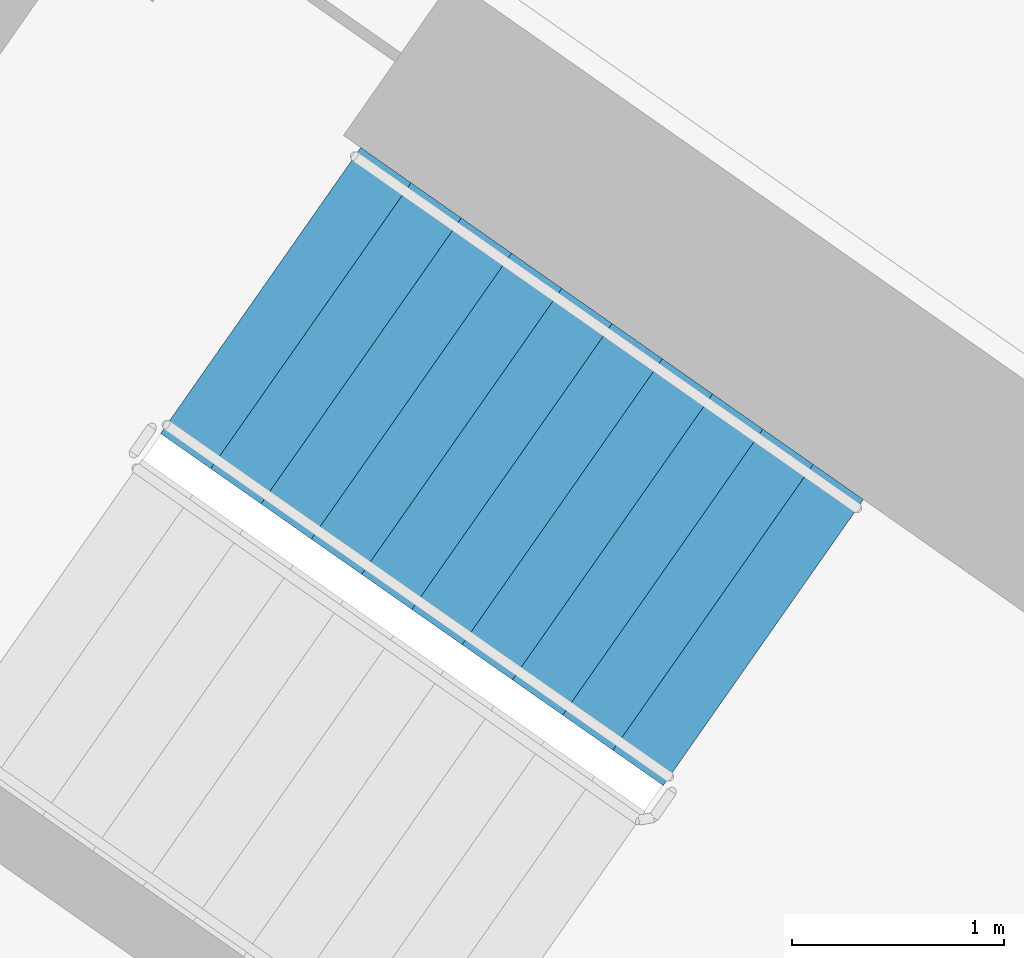
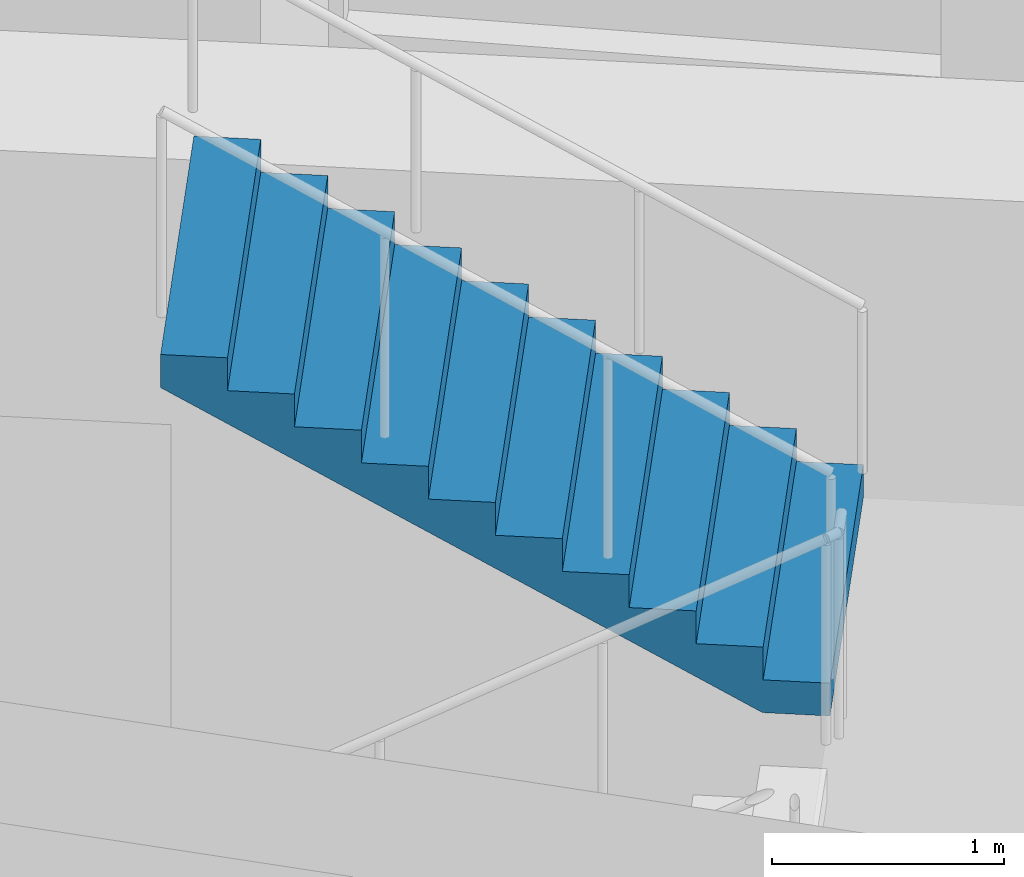
# One storey, part 13 of 30: 1 stair flight, 1 element without a shape of its own.
"""IFC4 building model written with IfcOpenShell, lengths in metres."""

import ifcopenshell
import ifcopenshell.guid

model = None  # the IFC model being written
_history = None  # IfcOwnerHistory: only IFC2X3 demands one
_inside = {}  # id of a spatial element -> (the spatial element, [elements in it])
_under = {}  # id of a project, library or spatial element -> (it, [spatial elements below it])
_declared = {}  # id of a project -> (the project, [libraries it declares])
_typed = {}  # id of a type object -> (the type object, [elements of that type])
_made_of = {}  # id of a material, layer set ... -> (it, [elements and type objects made of it])


def new_model(schema):
    """Start an empty IFC model of exactly this schema.

    Asked for "IFC4X3", IfcOpenShell would pick the latest addendum, in which some entities
    have other attributes; the version numbers below select the first issue.
    IFC2X3 requires an IfcOwnerHistory on every rooted entity: one is made here for all.
    """
    global model, _history
    if schema == "IFC4X3":
        model = ifcopenshell.file(schema_version=(4, 3, 0, 0))
    else:
        model = ifcopenshell.file(schema=schema)
    _inside.clear()
    _under.clear()
    _declared.clear()
    _typed.clear()
    _made_of.clear()
    _history = None
    if model.schema == "IFC2X3":
        org = make("IfcOrganization", Name="unknown")
        user = make(
            "IfcPersonAndOrganization",
            ThePerson=make("IfcPerson", FamilyName="unknown"),
            TheOrganization=org,
        )
        app = make(
            "IfcApplication",
            ApplicationDeveloper=org,
            Version="unknown",
            ApplicationFullName="unknown",
            ApplicationIdentifier="unknown",
        )
        _history = make(
            "IfcOwnerHistory",
            OwningUser=user,
            OwningApplication=app,
            ChangeAction="ADDED",
            CreationDate=0,
        )
    return model


def make(cls, **values):
    """One entity of the class cls with the attributes given. An attribute that is None is left unset."""
    return model.create_entity(
        cls, **{name: value for name, value in values.items() if value is not None}
    )


def rooted(cls, **values):
    """An entity with a GlobalId (a new one), such as an element, a storey or a relation."""
    return make(cls, GlobalId=ifcopenshell.guid.new(), OwnerHistory=_history, **values)


def si_unit(unit_type, name, prefix=None):
    """IfcSIUnit, for example si_unit("LENGTHUNIT", "METRE", prefix="MILLI")."""
    return make("IfcSIUnit", UnitType=unit_type, Prefix=prefix, Name=name)


def assignment(units):
    """IfcUnitAssignment: the units of a project."""
    return None if units is None else make("IfcUnitAssignment", Units=units)


def point(xyz):
    """IfcCartesianPoint."""
    return None if xyz is None else make("IfcCartesianPoint", Coordinates=xyz)


def direction(xyz):
    """IfcDirection."""
    return None if xyz is None else make("IfcDirection", DirectionRatios=xyz)


def frame(location, z_axis=None, x_axis=None):
    """IfcAxis2Placement3D, a coordinate frame: its origin and axes. An axis left out is left unset."""
    return make(
        "IfcAxis2Placement3D",
        Location=point(location),
        Axis=direction(z_axis),
        RefDirection=direction(x_axis),
    )


def origin():
    """The frame at (0, 0, 0) with its axes left unset."""
    return frame((0.0, 0.0, 0.0))


def place(relative_to, where):
    """IfcLocalPlacement: puts the frame where relative to a parent placement (None: the world)."""
    return make(
        "IfcLocalPlacement", PlacementRelTo=relative_to, RelativePlacement=where
    )


def context(
    kind, dimensions, precision=None, world=None, true_north=None, identifier=None
):
    """IfcGeometricRepresentationContext, for example the 3D "Model" context."""
    return make(
        "IfcGeometricRepresentationContext",
        ContextIdentifier=identifier,
        ContextType=kind,
        CoordinateSpaceDimension=dimensions,
        Precision=precision,
        WorldCoordinateSystem=world,
        TrueNorth=true_north,
    )


def subcontext(parent, identifier, kind, view, scale=None):
    """IfcGeometricRepresentationSubContext, for example "Body" below "Model"."""
    return make(
        "IfcGeometricRepresentationSubContext",
        ContextIdentifier=identifier,
        ContextType=kind,
        ParentContext=parent,
        TargetScale=scale,
        TargetView=view,
    )


def project(units=None, contexts=None):
    """IfcProject with its units and contexts."""
    return rooted(
        "IfcProject",
        Name="project",
        RepresentationContexts=contexts,
        UnitsInContext=assignment(units),
    )


def spatial(cls, under=None, at=None, **own):
    """A site, building, storey or space (cls), placed at a placement, below another one or the project."""
    s = rooted(cls, ObjectPlacement=at, **own)
    if under is not None:
        _under.setdefault(under.id(), (under, []))[1].append(s)
    return s


def faces_of(points, faces, orient=None, outer=None):
    """IfcFace entities. A face is a list of loops; a loop is a list of indices into points, from 0.

    orient and outer hold one flag for each loop. By default every Orientation is true, the
    first loop of a face is its IfcFaceOuterBound and the others are IfcFaceBound.
    """
    made = []
    for i, loops in enumerate(faces):
        bounds = []
        for j, loop in enumerate(loops):
            is_outer = j == 0 if outer is None else outer[i][j]
            bounds.append(
                make(
                    "IfcFaceOuterBound" if is_outer else "IfcFaceBound",
                    Bound=make("IfcPolyLoop", Polygon=[points[k] for k in loop]),
                    Orientation=True if orient is None else orient[i][j],
                )
            )
        made.append(make("IfcFace", Bounds=bounds))
    return made


def faceted_brep(points, faces, orient=None, outer=None, voids=None):
    """IfcFacetedBrep: a solid bounded by flat faces; with voids (closed shells), ...WithVoids."""
    shared = [point(p) for p in points]
    hull = make("IfcClosedShell", CfsFaces=faces_of(shared, faces, orient, outer))
    if voids is None:
        return make("IfcFacetedBrep", Outer=hull)
    return make(
        "IfcFacetedBrepWithVoids",
        Outer=hull,
        Voids=[
            make(cls, CfsFaces=faces_of(shared, fs, o, b)) for cls, fs, o, b in voids
        ],
    )


def shape(context_of_items, identifier, shape_type, items):
    """IfcShapeRepresentation: the items that make up one representation, for example the "Body"."""
    return make(
        "IfcShapeRepresentation",
        ContextOfItems=context_of_items,
        RepresentationIdentifier=identifier,
        RepresentationType=shape_type,
        Items=items,
    )


def material(Name=None, Category=None):
    """IfcMaterial."""
    return make("IfcMaterial", Name=Name, Category=Category)


def made_of(thing, what):
    """Note that an element or type object is made of a material, layer set ...; save() writes the relation."""
    if what is not None:
        _made_of.setdefault(what.id(), (what, []))[1].append(thing)
    return thing


def type_object(cls, material=None, **own):
    """A type object (cls), such as IfcWallType, which elements share."""
    return made_of(rooted(cls, **own), material)


def element(
    cls,
    number,
    at=None,
    inside=None,
    cuts=None,
    type_object=None,
    material=None,
    context=None,
    identifier="Body",
    shape_type=None,
    held_by="IfcProductDefinitionShape",
    body=None,
    shapes=None,
    **own,
):
    """One element of the class cls, such as IfcWall. Its Tag is "e" and its number.

    at: its placement. inside: the storey or other place that contains it. cuts: it is an
    opening in that element (IfcRelVoidsElement). A single representation is given by context,
    identifier, shape_type and body (its items); several are given by shapes. held_by: the class
    of the entity that holds the representations. save() writes the other relations.
    """
    e = rooted(cls, Tag="e%d" % number, ObjectPlacement=at, **own)
    if body is not None:
        shapes = [shape(context, identifier, shape_type, body)]
    if shapes is not None:
        e.Representation = make(held_by, Representations=shapes)
    if inside is not None:
        _inside.setdefault(inside.id(), (inside, []))[1].append(e)
    if cuts is not None:
        rooted(
            "IfcRelVoidsElement", RelatingBuildingElement=cuts, RelatedOpeningElement=e
        )
    if type_object is not None:
        _typed.setdefault(type_object.id(), (type_object, []))[1].append(e)
    return made_of(e, material)


def aggregate(whole, parts):
    """IfcRelAggregates: a whole, such as a stair, and the parts it consists of."""
    return rooted("IfcRelAggregates", RelatingObject=whole, RelatedObjects=parts)


def save(model, path):
    """Write the relations noted so far, then the file.

    IfcRelAggregates (storeys below a building ...), IfcRelContainedInSpatialStructure (elements
    in a storey), IfcRelDefinesByType, IfcRelAssociatesMaterial and IfcRelDeclares: one each for
    every whole, place, type object, material and project.
    """
    for whole, parts in _under.values():
        aggregate(whole, parts)
    for where, things in _inside.values():
        rooted(
            "IfcRelContainedInSpatialStructure",
            RelatedElements=things,
            RelatingStructure=where,
        )
    for kind, things in _typed.values():
        rooted("IfcRelDefinesByType", RelatedObjects=things, RelatingType=kind)
    for what, things in _made_of.values():
        rooted("IfcRelAssociatesMaterial", RelatedObjects=things, RelatingMaterial=what)
    for by, libraries in _declared.values():
        rooted("IfcRelDeclares", RelatingContext=by, RelatedDefinitions=libraries)
    model.write(path)


model = new_model("IFC4")

# Units and contexts
model_context = context("Model", 3, precision=1e-05, world=origin(), true_north=direction((0.0, 1.0)))
body_context = subcontext(model_context, "Body", "Model", "MODEL_VIEW")
ifc_project = project(units=[si_unit("LENGTHUNIT", "METRE"), si_unit("AREAUNIT", "SQUARE_METRE"), si_unit("VOLUMEUNIT", "CUBIC_METRE"), si_unit("PLANEANGLEUNIT", "RADIAN"), si_unit("MASSUNIT", "GRAM", prefix="KILO")], contexts=[model_context])

# Site, building, storey
site_placement = place(None, origin())
site = spatial("IfcSite", under=ifc_project, at=site_placement, CompositionType="ELEMENT")
building_placement = place(site_placement, origin())
building = spatial("IfcBuilding", under=site, at=building_placement, Name="Qamariyya Broadcast Tower", CompositionType="ELEMENT")
storey_placement = place(building_placement, frame((0.0, 0.0, 102.5)))
storey = spatial("IfcBuildingStorey", under=building, at=storey_placement, Name="L22", CompositionType="ELEMENT", Elevation=102.5)

# Stair, stair flight
ifc_material = material(Name="Concrete C50/60", Category="concrete")
stair_type = type_object("IfcStairType", Name="Exit stair 22 risers of 173 mm", PredefinedType="HALF_TURN_STAIR", material=ifc_material)
stair_placement = place(storey_placement, origin())
stair = element("IfcStair", 1, at=stair_placement, inside=storey, type_object=stair_type, Name="L22 Stair W2", PredefinedType="HALF_TURN_STAIR")
stair_flight_type = type_object("IfcStairFlightType", Name="Exit stair flight 11 risers of 173 mm", PredefinedType="STRAIGHT", material=ifc_material)
stair_flight_placement = place(storey_placement, frame((-38.18310546875, -49.3486328125, 1.89990234375), z_axis=(0.0, 0.0, 1.0), x_axis=(-0.819152044289, 0.573576436351, 0.0)))
stair_flight = element("IfcStairFlight", 2, at=stair_flight_placement, type_object=stair_flight_type, Name="ST-W2 flight 2", NumberOfRisers=11, NumberOfTreads=10, PredefinedType="STRAIGHT", RiserHeight=0.172727273, TreadLength=0.29, context=body_context, shape_type="Brep", body=[
    faceted_brep([(0.0, 0.824951171875, 0.0), (0.0, 0.824951171875, 0.172607421875), (0.2900390625, 0.824951171875, 0.172607421875), (0.2900390625, 0.824951171875, 0.345458984375), (0.580078125, 0.824951171875, 0.345458984375), (0.580078125, 0.824951171875, 0.51806640625), (0.8701171875, 0.824951171875, 0.51806640625), (0.8701171875, 0.824951171875, 0.69091796875), (1.159912109375, 0.824951171875, 0.69091796875), (1.159912109375, 0.824951171875, 0.863525390625), (1.449951171875, 0.824951171875, 0.863525390625), (1.449951171875, 0.824951171875, 1.036376953125), (1.739990234375, 0.824951171875, 1.036376953125), (1.739990234375, 0.824951171875, 1.208984375), (2.030029296875, 0.824951171875, 1.208984375), (2.030029296875, 0.824951171875, 1.3818359375), (2.320068359375, 0.824951171875, 1.3818359375), (2.320068359375, 0.824951171875, 1.554443359375), (2.610107421875, 0.824951171875, 1.554443359375), (2.610107421875, 0.824951171875, 1.727294921875), (2.89990234375, 0.824951171875, 1.727294921875), (2.89990234375, 0.824951171875, 1.552734375), (0.29296875, 0.824951171875, 0.0), (0.29296875, -0.824951171875, 0.0), (2.89990234375, -0.824951171875, 1.552734375), (2.89990234375, -0.824951171875, 1.727294921875), (2.610107421875, -0.824951171875, 1.727294921875), (2.610107421875, -0.824951171875, 1.554443359375), (2.320068359375, -0.824951171875, 1.554443359375), (2.320068359375, -0.824951171875, 1.3818359375), (2.030029296875, -0.824951171875, 1.3818359375), (2.030029296875, -0.824951171875, 1.208984375), (1.739990234375, -0.824951171875, 1.208984375), (1.739990234375, -0.824951171875, 1.036376953125), (1.449951171875, -0.824951171875, 1.036376953125), (1.449951171875, -0.824951171875, 0.863525390625), (1.159912109375, -0.824951171875, 0.863525390625), (1.159912109375, -0.824951171875, 0.69091796875), (0.8701171875, -0.824951171875, 0.69091796875), (0.8701171875, -0.824951171875, 0.51806640625), (0.580078125, -0.824951171875, 0.51806640625), (0.580078125, -0.824951171875, 0.345458984375), (0.2900390625, -0.824951171875, 0.345458984375), (0.2900390625, -0.824951171875, 0.172607421875), (0.0, -0.824951171875, 0.172607421875), (0.0, -0.824951171875, 0.0), (0.0, 0.10009765625, 0.0), (0.0, 0.086669921875, 0.0), (0.0, 0.0732421875, 0.0), (0.0, 0.06005859375, 0.0), (0.0, 0.046630859375, 0.0), (0.0, 0.033447265625, 0.0), (0.0, 0.02001953125, 0.0), (0.0, 0.006591796875, 0.0), (0.0, -0.006591796875, 0.0), (0.0, -0.02001953125, 0.0), (0.0, -0.033447265625, 0.0), (0.0, -0.046630859375, 0.0), (0.0, -0.06005859375, 0.0), (0.0, -0.0732421875, 0.0), (0.0, -0.086669921875, 0.0), (0.0, -0.10009765625, 0.0), (0.0, -0.10009765625, 0.172607421875), (0.0, -0.086669921875, 0.172607421875), (0.0, -0.0732421875, 0.172607421875), (0.0, -0.06005859375, 0.172607421875), (0.0, -0.046630859375, 0.172607421875), (0.0, -0.033447265625, 0.172607421875), (0.0, -0.02001953125, 0.172607421875), (0.0, -0.006591796875, 0.172607421875), (0.0, 0.006591796875, 0.172607421875), (0.0, 0.02001953125, 0.172607421875), (0.0, 0.033447265625, 0.172607421875), (0.0, 0.046630859375, 0.172607421875), (0.0, 0.06005859375, 0.172607421875), (0.0, 0.0732421875, 0.172607421875), (0.0, 0.086669921875, 0.172607421875), (0.0, 0.10009765625, 0.172607421875), (0.2900390625, -0.10009765625, 0.172607421875), (0.2900390625, -0.086669921875, 0.172607421875), (0.2900390625, -0.0732421875, 0.172607421875), (0.2900390625, -0.06005859375, 0.172607421875), (0.2900390625, -0.046630859375, 0.172607421875), (0.2900390625, -0.033447265625, 0.172607421875), (0.2900390625, -0.02001953125, 0.172607421875), (0.2900390625, -0.006591796875, 0.172607421875), (0.2900390625, 0.006591796875, 0.172607421875), (0.2900390625, 0.02001953125, 0.172607421875), (0.2900390625, 0.033447265625, 0.172607421875), (0.2900390625, 0.046630859375, 0.172607421875), (0.2900390625, 0.06005859375, 0.172607421875), (0.2900390625, 0.0732421875, 0.172607421875), (0.2900390625, 0.086669921875, 0.172607421875), (0.2900390625, 0.10009765625, 0.172607421875), (0.2900390625, -0.10009765625, 0.345458984375), (0.2900390625, -0.086669921875, 0.345458984375), (0.2900390625, -0.0732421875, 0.345458984375), (0.2900390625, -0.06005859375, 0.345458984375), (0.2900390625, -0.046630859375, 0.345458984375), (0.2900390625, -0.033447265625, 0.345458984375), (0.2900390625, -0.02001953125, 0.345458984375), (0.2900390625, -0.006591796875, 0.345458984375), (0.2900390625, 0.006591796875, 0.345458984375), (0.2900390625, 0.02001953125, 0.345458984375), (0.2900390625, 0.033447265625, 0.345458984375), (0.2900390625, 0.046630859375, 0.345458984375), (0.2900390625, 0.06005859375, 0.345458984375), (0.2900390625, 0.0732421875, 0.345458984375), (0.2900390625, 0.086669921875, 0.345458984375), (0.2900390625, 0.10009765625, 0.345458984375), (0.580078125, -0.10009765625, 0.345458984375), (0.580078125, -0.086669921875, 0.345458984375), (0.580078125, -0.0732421875, 0.345458984375), (0.580078125, -0.06005859375, 0.345458984375), (0.580078125, -0.046630859375, 0.345458984375), (0.580078125, -0.033447265625, 0.345458984375), (0.580078125, -0.02001953125, 0.345458984375), (0.580078125, -0.006591796875, 0.345458984375), (0.580078125, 0.006591796875, 0.345458984375), (0.580078125, 0.02001953125, 0.345458984375), (0.580078125, 0.033447265625, 0.345458984375), (0.580078125, 0.046630859375, 0.345458984375), (0.580078125, 0.06005859375, 0.345458984375), (0.580078125, 0.0732421875, 0.345458984375), (0.580078125, 0.086669921875, 0.345458984375), (0.580078125, 0.10009765625, 0.345458984375), (0.580078125, -0.10009765625, 0.51806640625), (0.580078125, -0.086669921875, 0.51806640625), (0.580078125, -0.0732421875, 0.51806640625), (0.580078125, -0.06005859375, 0.51806640625), (0.580078125, -0.046630859375, 0.51806640625), (0.580078125, -0.033447265625, 0.51806640625), (0.580078125, -0.02001953125, 0.51806640625), (0.580078125, -0.006591796875, 0.51806640625), (0.580078125, 0.006591796875, 0.51806640625), (0.580078125, 0.02001953125, 0.51806640625), (0.580078125, 0.033447265625, 0.51806640625), (0.580078125, 0.046630859375, 0.51806640625), (0.580078125, 0.06005859375, 0.51806640625), (0.580078125, 0.0732421875, 0.51806640625), (0.580078125, 0.086669921875, 0.51806640625), (0.580078125, 0.10009765625, 0.51806640625), (0.8701171875, -0.10009765625, 0.51806640625), (0.8701171875, -0.086669921875, 0.51806640625), (0.8701171875, -0.0732421875, 0.51806640625), (0.8701171875, -0.06005859375, 0.51806640625), (0.8701171875, -0.046630859375, 0.51806640625), (0.8701171875, -0.033447265625, 0.51806640625), (0.8701171875, -0.02001953125, 0.51806640625), (0.8701171875, -0.006591796875, 0.51806640625), (0.8701171875, 0.006591796875, 0.51806640625), (0.8701171875, 0.02001953125, 0.51806640625), (0.8701171875, 0.033447265625, 0.51806640625), (0.8701171875, 0.046630859375, 0.51806640625), (0.8701171875, 0.06005859375, 0.51806640625), (0.8701171875, 0.0732421875, 0.51806640625), (0.8701171875, 0.086669921875, 0.51806640625), (0.8701171875, 0.10009765625, 0.51806640625), (0.8701171875, -0.10009765625, 0.69091796875), (0.8701171875, -0.086669921875, 0.69091796875), (0.8701171875, -0.0732421875, 0.69091796875), (0.8701171875, -0.06005859375, 0.69091796875), (0.8701171875, -0.046630859375, 0.69091796875), (0.8701171875, -0.033447265625, 0.69091796875), (0.8701171875, -0.02001953125, 0.69091796875), (0.8701171875, -0.006591796875, 0.69091796875), (0.8701171875, 0.006591796875, 0.69091796875), (0.8701171875, 0.02001953125, 0.69091796875), (0.8701171875, 0.033447265625, 0.69091796875), (0.8701171875, 0.046630859375, 0.69091796875), (0.8701171875, 0.06005859375, 0.69091796875), (0.8701171875, 0.0732421875, 0.69091796875), (0.8701171875, 0.086669921875, 0.69091796875), (0.8701171875, 0.10009765625, 0.69091796875), (1.159912109375, -0.10009765625, 0.69091796875), (1.159912109375, -0.086669921875, 0.69091796875), (1.159912109375, -0.0732421875, 0.69091796875), (1.159912109375, -0.06005859375, 0.69091796875), (1.159912109375, -0.046630859375, 0.69091796875), (1.159912109375, -0.033447265625, 0.69091796875), (1.159912109375, -0.02001953125, 0.69091796875), (1.159912109375, -0.006591796875, 0.69091796875), (1.159912109375, 0.006591796875, 0.69091796875), (1.159912109375, 0.02001953125, 0.69091796875), (1.159912109375, 0.033447265625, 0.69091796875), (1.159912109375, 0.046630859375, 0.69091796875), (1.159912109375, 0.06005859375, 0.69091796875), (1.159912109375, 0.0732421875, 0.69091796875), (1.159912109375, 0.086669921875, 0.69091796875), (1.159912109375, 0.10009765625, 0.69091796875), (1.159912109375, -0.10009765625, 0.863525390625), (1.159912109375, -0.086669921875, 0.863525390625), (1.159912109375, -0.0732421875, 0.863525390625), (1.159912109375, -0.06005859375, 0.863525390625), (1.159912109375, -0.046630859375, 0.863525390625), (1.159912109375, -0.033447265625, 0.863525390625), (1.159912109375, -0.02001953125, 0.863525390625), (1.159912109375, -0.006591796875, 0.863525390625), (1.159912109375, 0.006591796875, 0.863525390625), (1.159912109375, 0.02001953125, 0.863525390625), (1.159912109375, 0.033447265625, 0.863525390625), (1.159912109375, 0.046630859375, 0.863525390625), (1.159912109375, 0.06005859375, 0.863525390625), (1.159912109375, 0.0732421875, 0.863525390625), (1.159912109375, 0.086669921875, 0.863525390625), (1.159912109375, 0.10009765625, 0.863525390625), (1.449951171875, -0.10009765625, 0.863525390625), (1.449951171875, -0.086669921875, 0.863525390625), (1.449951171875, -0.0732421875, 0.863525390625), (1.449951171875, -0.06005859375, 0.863525390625), (1.449951171875, -0.046630859375, 0.863525390625), (1.449951171875, -0.033447265625, 0.863525390625), (1.449951171875, -0.02001953125, 0.863525390625), (1.449951171875, -0.006591796875, 0.863525390625), (1.449951171875, 0.006591796875, 0.863525390625), (1.449951171875, 0.02001953125, 0.863525390625), (1.449951171875, 0.033447265625, 0.863525390625), (1.449951171875, 0.046630859375, 0.863525390625), (1.449951171875, 0.06005859375, 0.863525390625), (1.449951171875, 0.0732421875, 0.863525390625), (1.449951171875, 0.086669921875, 0.863525390625), (1.449951171875, 0.10009765625, 0.863525390625), (1.449951171875, -0.10009765625, 1.036376953125), (1.449951171875, -0.086669921875, 1.036376953125), (1.449951171875, -0.0732421875, 1.036376953125), (1.449951171875, -0.06005859375, 1.036376953125), (1.449951171875, -0.046630859375, 1.036376953125), (1.449951171875, -0.033447265625, 1.036376953125), (1.449951171875, -0.02001953125, 1.036376953125), (1.449951171875, -0.006591796875, 1.036376953125), (1.449951171875, 0.006591796875, 1.036376953125), (1.449951171875, 0.02001953125, 1.036376953125), (1.449951171875, 0.033447265625, 1.036376953125), (1.449951171875, 0.046630859375, 1.036376953125), (1.449951171875, 0.06005859375, 1.036376953125), (1.449951171875, 0.0732421875, 1.036376953125), (1.449951171875, 0.086669921875, 1.036376953125), (1.449951171875, 0.10009765625, 1.036376953125), (1.739990234375, -0.10009765625, 1.036376953125), (1.739990234375, -0.086669921875, 1.036376953125), (1.739990234375, -0.0732421875, 1.036376953125), (1.739990234375, -0.06005859375, 1.036376953125), (1.739990234375, -0.046630859375, 1.036376953125), (1.739990234375, -0.033447265625, 1.036376953125), (1.739990234375, -0.02001953125, 1.036376953125), (1.739990234375, -0.006591796875, 1.036376953125), (1.739990234375, 0.006591796875, 1.036376953125), (1.739990234375, 0.02001953125, 1.036376953125), (1.739990234375, 0.033447265625, 1.036376953125), (1.739990234375, 0.046630859375, 1.036376953125), (1.739990234375, 0.06005859375, 1.036376953125), (1.739990234375, 0.0732421875, 1.036376953125), (1.739990234375, 0.086669921875, 1.036376953125), (1.739990234375, 0.10009765625, 1.036376953125), (1.739990234375, -0.10009765625, 1.208984375), (1.739990234375, -0.086669921875, 1.208984375), (1.739990234375, -0.0732421875, 1.208984375), (1.739990234375, -0.06005859375, 1.208984375), (1.739990234375, -0.046630859375, 1.208984375), (1.739990234375, -0.033447265625, 1.208984375), (1.739990234375, -0.02001953125, 1.208984375), (1.739990234375, -0.006591796875, 1.208984375), (1.739990234375, 0.006591796875, 1.208984375), (1.739990234375, 0.02001953125, 1.208984375), (1.739990234375, 0.033447265625, 1.208984375), (1.739990234375, 0.046630859375, 1.208984375), (1.739990234375, 0.06005859375, 1.208984375), (1.739990234375, 0.0732421875, 1.208984375), (1.739990234375, 0.086669921875, 1.208984375), (1.739990234375, 0.10009765625, 1.208984375), (2.030029296875, -0.10009765625, 1.208984375), (2.030029296875, -0.086669921875, 1.208984375), (2.030029296875, -0.0732421875, 1.208984375), (2.030029296875, -0.06005859375, 1.208984375), (2.030029296875, -0.046630859375, 1.208984375), (2.030029296875, -0.033447265625, 1.208984375), (2.030029296875, -0.02001953125, 1.208984375), (2.030029296875, -0.006591796875, 1.208984375), (2.030029296875, 0.006591796875, 1.208984375), (2.030029296875, 0.02001953125, 1.208984375), (2.030029296875, 0.033447265625, 1.208984375), (2.030029296875, 0.046630859375, 1.208984375), (2.030029296875, 0.06005859375, 1.208984375), (2.030029296875, 0.0732421875, 1.208984375), (2.030029296875, 0.086669921875, 1.208984375), (2.030029296875, 0.10009765625, 1.208984375), (2.030029296875, -0.10009765625, 1.3818359375), (2.030029296875, -0.086669921875, 1.3818359375), (2.030029296875, -0.0732421875, 1.3818359375), (2.030029296875, -0.06005859375, 1.3818359375), (2.030029296875, -0.046630859375, 1.3818359375), (2.030029296875, -0.033447265625, 1.3818359375), (2.030029296875, -0.02001953125, 1.3818359375), (2.030029296875, -0.006591796875, 1.3818359375), (2.030029296875, 0.006591796875, 1.3818359375), (2.030029296875, 0.02001953125, 1.3818359375), (2.030029296875, 0.033447265625, 1.3818359375), (2.030029296875, 0.046630859375, 1.3818359375), (2.030029296875, 0.06005859375, 1.3818359375), (2.030029296875, 0.0732421875, 1.3818359375), (2.030029296875, 0.086669921875, 1.3818359375), (2.030029296875, 0.10009765625, 1.3818359375), (2.320068359375, -0.10009765625, 1.3818359375), (2.320068359375, -0.086669921875, 1.3818359375), (2.320068359375, -0.0732421875, 1.3818359375), (2.320068359375, -0.06005859375, 1.3818359375), (2.320068359375, -0.046630859375, 1.3818359375), (2.320068359375, -0.033447265625, 1.3818359375), (2.320068359375, -0.02001953125, 1.3818359375), (2.320068359375, -0.006591796875, 1.3818359375), (2.320068359375, 0.006591796875, 1.3818359375), (2.320068359375, 0.02001953125, 1.3818359375), (2.320068359375, 0.033447265625, 1.3818359375), (2.320068359375, 0.046630859375, 1.3818359375), (2.320068359375, 0.06005859375, 1.3818359375), (2.320068359375, 0.0732421875, 1.3818359375), (2.320068359375, 0.086669921875, 1.3818359375), (2.320068359375, 0.10009765625, 1.3818359375), (2.320068359375, -0.10009765625, 1.554443359375), (2.320068359375, -0.086669921875, 1.554443359375), (2.320068359375, -0.0732421875, 1.554443359375), (2.320068359375, -0.06005859375, 1.554443359375), (2.320068359375, -0.046630859375, 1.554443359375), (2.320068359375, -0.033447265625, 1.554443359375), (2.320068359375, -0.02001953125, 1.554443359375), (2.320068359375, -0.006591796875, 1.554443359375), (2.320068359375, 0.006591796875, 1.554443359375), (2.320068359375, 0.02001953125, 1.554443359375), (2.320068359375, 0.033447265625, 1.554443359375), (2.320068359375, 0.046630859375, 1.554443359375), (2.320068359375, 0.06005859375, 1.554443359375), (2.320068359375, 0.0732421875, 1.554443359375), (2.320068359375, 0.086669921875, 1.554443359375), (2.320068359375, 0.10009765625, 1.554443359375), (2.610107421875, -0.10009765625, 1.554443359375), (2.610107421875, -0.086669921875, 1.554443359375), (2.610107421875, -0.0732421875, 1.554443359375), (2.610107421875, -0.06005859375, 1.554443359375), (2.610107421875, -0.046630859375, 1.554443359375), (2.610107421875, -0.033447265625, 1.554443359375), (2.610107421875, -0.02001953125, 1.554443359375), (2.610107421875, -0.006591796875, 1.554443359375), (2.610107421875, 0.006591796875, 1.554443359375), (2.610107421875, 0.02001953125, 1.554443359375), (2.610107421875, 0.033447265625, 1.554443359375), (2.610107421875, 0.046630859375, 1.554443359375), (2.610107421875, 0.06005859375, 1.554443359375), (2.610107421875, 0.0732421875, 1.554443359375), (2.610107421875, 0.086669921875, 1.554443359375), (2.610107421875, 0.10009765625, 1.554443359375), (2.610107421875, -0.10009765625, 1.727294921875), (2.610107421875, -0.086669921875, 1.727294921875), (2.610107421875, -0.0732421875, 1.727294921875), (2.610107421875, -0.06005859375, 1.727294921875), (2.610107421875, -0.046630859375, 1.727294921875), (2.610107421875, -0.033447265625, 1.727294921875), (2.610107421875, -0.02001953125, 1.727294921875), (2.610107421875, -0.006591796875, 1.727294921875), (2.610107421875, 0.006591796875, 1.727294921875), (2.610107421875, 0.02001953125, 1.727294921875), (2.610107421875, 0.033447265625, 1.727294921875), (2.610107421875, 0.046630859375, 1.727294921875), (2.610107421875, 0.06005859375, 1.727294921875), (2.610107421875, 0.0732421875, 1.727294921875), (2.610107421875, 0.086669921875, 1.727294921875), (2.610107421875, 0.10009765625, 1.727294921875), (2.89990234375, -0.10009765625, 1.727294921875), (2.89990234375, -0.086669921875, 1.727294921875), (2.89990234375, -0.0732421875, 1.727294921875), (2.89990234375, -0.06005859375, 1.727294921875), (2.89990234375, -0.046630859375, 1.727294921875), (2.89990234375, -0.033447265625, 1.727294921875), (2.89990234375, -0.02001953125, 1.727294921875), (2.89990234375, -0.006591796875, 1.727294921875), (2.89990234375, 0.006591796875, 1.727294921875), (2.89990234375, 0.02001953125, 1.727294921875), (2.89990234375, 0.033447265625, 1.727294921875), (2.89990234375, 0.046630859375, 1.727294921875), (2.89990234375, 0.06005859375, 1.727294921875), (2.89990234375, 0.0732421875, 1.727294921875), (2.89990234375, 0.086669921875, 1.727294921875), (2.89990234375, 0.10009765625, 1.727294921875), (2.89990234375, -0.10009765625, 1.552734375), (2.89990234375, -0.086669921875, 1.552734375), (2.89990234375, -0.0732421875, 1.552734375), (2.89990234375, -0.06005859375, 1.552734375), (2.89990234375, -0.046630859375, 1.552734375), (2.89990234375, -0.033447265625, 1.552734375), (2.89990234375, -0.02001953125, 1.552734375), (2.89990234375, -0.006591796875, 1.552734375), (2.89990234375, 0.006591796875, 1.552734375), (2.89990234375, 0.02001953125, 1.552734375), (2.89990234375, 0.033447265625, 1.552734375), (2.89990234375, 0.046630859375, 1.552734375), (2.89990234375, 0.06005859375, 1.552734375), (2.89990234375, 0.0732421875, 1.552734375), (2.89990234375, 0.086669921875, 1.552734375), (2.89990234375, 0.10009765625, 1.552734375), (0.29296875, -0.10009765625, 0.0), (0.29296875, -0.086669921875, 0.0), (0.29296875, -0.0732421875, 0.0), (0.29296875, -0.06005859375, 0.0), (0.29296875, -0.046630859375, 0.0), (0.29296875, -0.033447265625, 0.0), (0.29296875, -0.02001953125, 0.0), (0.29296875, -0.006591796875, 0.0), (0.29296875, 0.006591796875, 0.0), (0.29296875, 0.02001953125, 0.0), (0.29296875, 0.033447265625, 0.0), (0.29296875, 0.046630859375, 0.0), (0.29296875, 0.06005859375, 0.0), (0.29296875, 0.0732421875, 0.0), (0.29296875, 0.086669921875, 0.0), (0.29296875, 0.10009765625, 0.0)], [[[0, 1, 2, 3, 4, 5, 6, 7, 8, 9, 10, 11, 12, 13, 14, 15, 16, 17, 18, 19, 20, 21, 22]], [[23, 24, 25, 26, 27, 28, 29, 30, 31, 32, 33, 34, 35, 36, 37, 38, 39, 40, 41, 42, 43, 44, 45]], [[0, 46, 47, 48, 49, 50, 51, 52, 53, 54, 55, 56, 57, 58, 59, 60, 61, 45, 44, 62, 63, 64, 65, 66, 67, 68, 69, 70, 71, 72, 73, 74, 75, 76, 77, 1]], [[1, 77, 76, 75, 74, 73, 72, 71, 70, 69, 68, 67, 66, 65, 64, 63, 62, 44, 43, 78, 79, 80, 81, 82, 83, 84, 85, 86, 87, 88, 89, 90, 91, 92, 93, 2]], [[2, 93, 92, 91, 90, 89, 88, 87, 86, 85, 84, 83, 82, 81, 80, 79, 78, 43, 42, 94, 95, 96, 97, 98, 99, 100, 101, 102, 103, 104, 105, 106, 107, 108, 109, 3]], [[3, 109, 108, 107, 106, 105, 104, 103, 102, 101, 100, 99, 98, 97, 96, 95, 94, 42, 41, 110, 111, 112, 113, 114, 115, 116, 117, 118, 119, 120, 121, 122, 123, 124, 125, 4]], [[4, 125, 124, 123, 122, 121, 120, 119, 118, 117, 116, 115, 114, 113, 112, 111, 110, 41, 40, 126, 127, 128, 129, 130, 131, 132, 133, 134, 135, 136, 137, 138, 139, 140, 141, 5]], [[5, 141, 140, 139, 138, 137, 136, 135, 134, 133, 132, 131, 130, 129, 128, 127, 126, 40, 39, 142, 143, 144, 145, 146, 147, 148, 149, 150, 151, 152, 153, 154, 155, 156, 157, 6]], [[6, 157, 156, 155, 154, 153, 152, 151, 150, 149, 148, 147, 146, 145, 144, 143, 142, 39, 38, 158, 159, 160, 161, 162, 163, 164, 165, 166, 167, 168, 169, 170, 171, 172, 173, 7]], [[7, 173, 172, 171, 170, 169, 168, 167, 166, 165, 164, 163, 162, 161, 160, 159, 158, 38, 37, 174, 175, 176, 177, 178, 179, 180, 181, 182, 183, 184, 185, 186, 187, 188, 189, 8]], [[8, 189, 188, 187, 186, 185, 184, 183, 182, 181, 180, 179, 178, 177, 176, 175, 174, 37, 36, 190, 191, 192, 193, 194, 195, 196, 197, 198, 199, 200, 201, 202, 203, 204, 205, 9]], [[9, 205, 204, 203, 202, 201, 200, 199, 198, 197, 196, 195, 194, 193, 192, 191, 190, 36, 35, 206, 207, 208, 209, 210, 211, 212, 213, 214, 215, 216, 217, 218, 219, 220, 221, 10]], [[10, 221, 220, 219, 218, 217, 216, 215, 214, 213, 212, 211, 210, 209, 208, 207, 206, 35, 34, 222, 223, 224, 225, 226, 227, 228, 229, 230, 231, 232, 233, 234, 235, 236, 237, 11]], [[11, 237, 236, 235, 234, 233, 232, 231, 230, 229, 228, 227, 226, 225, 224, 223, 222, 34, 33, 238, 239, 240, 241, 242, 243, 244, 245, 246, 247, 248, 249, 250, 251, 252, 253, 12]], [[12, 253, 252, 251, 250, 249, 248, 247, 246, 245, 244, 243, 242, 241, 240, 239, 238, 33, 32, 254, 255, 256, 257, 258, 259, 260, 261, 262, 263, 264, 265, 266, 267, 268, 269, 13]], [[13, 269, 268, 267, 266, 265, 264, 263, 262, 261, 260, 259, 258, 257, 256, 255, 254, 32, 31, 270, 271, 272, 273, 274, 275, 276, 277, 278, 279, 280, 281, 282, 283, 284, 285, 14]], [[14, 285, 284, 283, 282, 281, 280, 279, 278, 277, 276, 275, 274, 273, 272, 271, 270, 31, 30, 286, 287, 288, 289, 290, 291, 292, 293, 294, 295, 296, 297, 298, 299, 300, 301, 15]], [[15, 301, 300, 299, 298, 297, 296, 295, 294, 293, 292, 291, 290, 289, 288, 287, 286, 30, 29, 302, 303, 304, 305, 306, 307, 308, 309, 310, 311, 312, 313, 314, 315, 316, 317, 16]], [[16, 317, 316, 315, 314, 313, 312, 311, 310, 309, 308, 307, 306, 305, 304, 303, 302, 29, 28, 318, 319, 320, 321, 322, 323, 324, 325, 326, 327, 328, 329, 330, 331, 332, 333, 17]], [[17, 333, 332, 331, 330, 329, 328, 327, 326, 325, 324, 323, 322, 321, 320, 319, 318, 28, 27, 334, 335, 336, 337, 338, 339, 340, 341, 342, 343, 344, 345, 346, 347, 348, 349, 18]], [[18, 349, 348, 347, 346, 345, 344, 343, 342, 341, 340, 339, 338, 337, 336, 335, 334, 27, 26, 350, 351, 352, 353, 354, 355, 356, 357, 358, 359, 360, 361, 362, 363, 364, 365, 19]], [[19, 365, 364, 363, 362, 361, 360, 359, 358, 357, 356, 355, 354, 353, 352, 351, 350, 26, 25, 366, 367, 368, 369, 370, 371, 372, 373, 374, 375, 376, 377, 378, 379, 380, 381, 20]], [[20, 381, 380, 379, 378, 377, 376, 375, 374, 373, 372, 371, 370, 369, 368, 367, 366, 25, 24, 382, 383, 384, 385, 386, 387, 388, 389, 390, 391, 392, 393, 394, 395, 396, 397, 21]], [[21, 397, 396, 395, 394, 393, 392, 391, 390, 389, 388, 387, 386, 385, 384, 383, 382, 24, 23, 398, 399, 400, 401, 402, 403, 404, 405, 406, 407, 408, 409, 410, 411, 412, 413, 22]], [[22, 413, 412, 411, 410, 409, 408, 407, 406, 405, 404, 403, 402, 401, 400, 399, 398, 23, 45, 61, 60, 59, 58, 57, 56, 55, 54, 53, 52, 51, 50, 49, 48, 47, 46, 0]]]),
])
aggregate(stair, [stair_flight])

save(model, "model.ifc")
